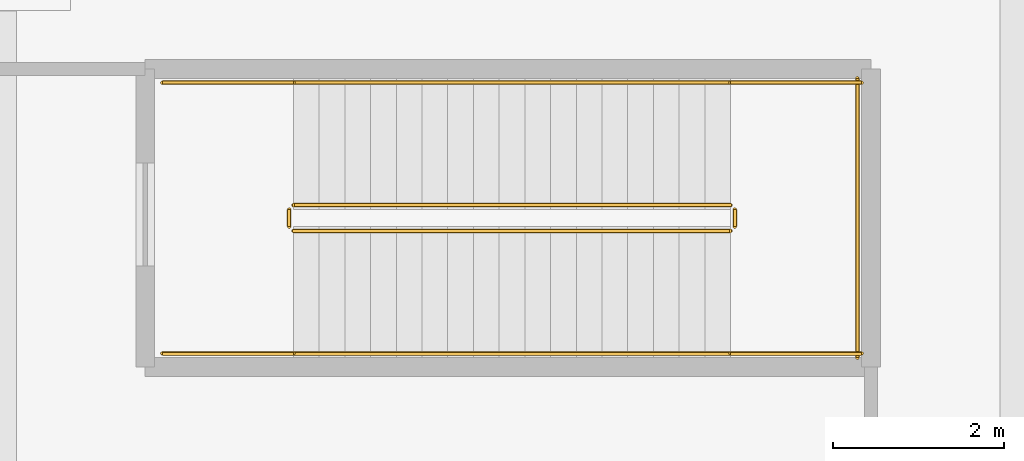
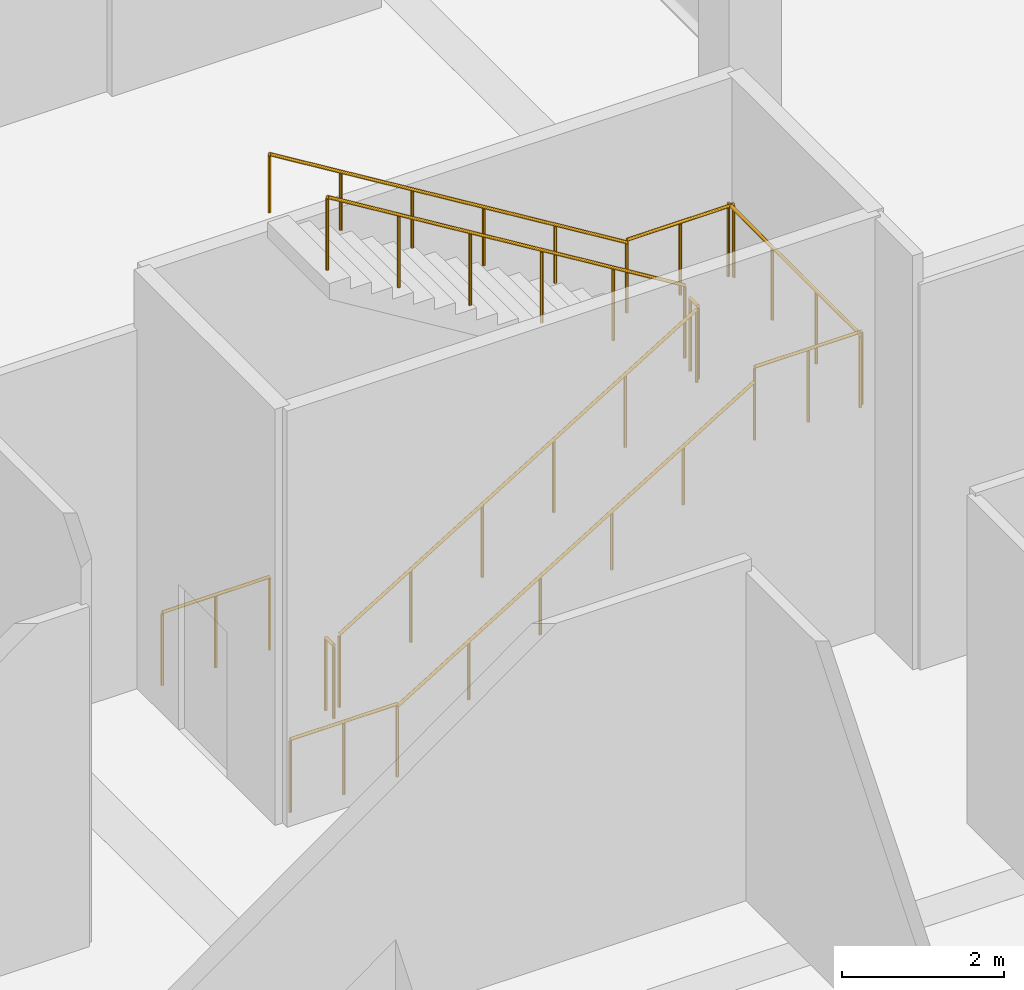
# One storey, part 115 of 117: 11 railings.
"""IFC4 building model written with IfcOpenShell, lengths in metres."""

from ifc_helpers import new_model, si_unit, direction, frame, origin, origin_2d, place, context, subcontext, project, spatial, circle, extrude, material, type_object, element, save


model = new_model("IFC4")

# Units and contexts
model_context = context("Model", 3, precision=1e-05, world=origin(), true_north=direction((0.0, 1.0)))
body_context = subcontext(model_context, "Body", "Model", "MODEL_VIEW")
ifc_project = project(units=[si_unit("LENGTHUNIT", "METRE"), si_unit("AREAUNIT", "SQUARE_METRE"), si_unit("VOLUMEUNIT", "CUBIC_METRE"), si_unit("PLANEANGLEUNIT", "RADIAN"), si_unit("MASSUNIT", "GRAM", prefix="KILO")], contexts=[model_context])

# Site, building, storey
site_placement = place(None, origin())
site = spatial("IfcSite", under=ifc_project, at=site_placement, CompositionType="ELEMENT")
building_placement = place(site_placement, origin())
building = spatial("IfcBuilding", under=site, at=building_placement, Name="Kamomehara Wholesale Market", CompositionType="ELEMENT")
storey_placement = place(building_placement, origin())
storey = spatial("IfcBuildingStorey", under=building, at=storey_placement, Name="L00", CompositionType="ELEMENT", Elevation=0.0)

# Railings
ifc_material_1 = material(Name="Steel SN400B", Category="steel")
railing_type_1 = type_object("IfcRailingType", Name="RAL-HND-900", PredefinedType="HANDRAIL", material=ifc_material_1)
railing_1_placement = place(storey_placement, frame((111.530029296875, 137.800048828125, 0.183349609375)))
element("IfcRailing", 1, at=railing_1_placement, inside=storey, type_object=railing_type_1, Name="L00 ST-13 stair handrail 1", PredefinedType="HANDRAIL", context=body_context, shape_type="SweptSolid", body=[
    extrude(circle(Radius=0.02392578125, at=origin_2d()), frame((0.0, 0.0, 0.8759765625), z_axis=(0.853272746002, 0.0, 0.521464879863), x_axis=(0.0, 1.0, 0.0)), (0.0, 0.0, 1.0), 5.976806640625),
    extrude(circle(Radius=0.02099609375, at=origin_2d()), origin(), (0.0, 0.0, 1.0), 0.851806640625),
    extrude(circle(Radius=0.02099609375, at=origin_2d()), frame((1.02001953125, 0.0, 0.623291015625)), (0.0, 0.0, 1.0), 0.851806640625),
    extrude(circle(Radius=0.02099609375, at=origin_2d()), frame((2.0400390625, 0.0, 1.24658203125)), (0.0, 0.0, 1.0), 0.851806640625),
    extrude(circle(Radius=0.02099609375, at=origin_2d()), frame((3.059814453125, 0.0, 1.8701171875)), (0.0, 0.0, 1.0), 0.851806640625),
    extrude(circle(Radius=0.02099609375, at=origin_2d()), frame((4.079833984375, 0.0, 2.493408203125)), (0.0, 0.0, 1.0), 0.851806640625),
    extrude(circle(Radius=0.02099609375, at=origin_2d()), frame((5.099853515625, 0.0, 3.11669921875)), (0.0, 0.0, 1.0), 0.851806640625),
])
railing_2_placement = place(storey_placement, frame((116.6298828125, 140.9599609375, 3.4833984375)))
element("IfcRailing", 2, at=railing_2_placement, inside=storey, type_object=railing_type_1, Name="L00 ST-13 stair handrail 2", PredefinedType="HANDRAIL", context=body_context, shape_type="SweptSolid", body=[
    extrude(circle(Radius=0.02392578125, at=origin_2d()), frame((0.0, 0.0, 0.8759765625), z_axis=(-0.853272746002, 0.0, 0.521464879863), x_axis=(0.0, -1.0, 0.0)), (0.0, 0.0, 1.0), 5.976806640625),
    extrude(circle(Radius=0.02099609375, at=origin_2d()), origin(), (0.0, 0.0, 1.0), 0.851806640625),
    extrude(circle(Radius=0.02099609375, at=origin_2d()), frame((-1.02001953125, 0.0, 0.623291015625)), (0.0, 0.0, 1.0), 0.851806640625),
    extrude(circle(Radius=0.02099609375, at=origin_2d()), frame((-2.0400390625, 0.0, 1.24658203125)), (0.0, 0.0, 1.0), 0.851806640625),
    extrude(circle(Radius=0.02099609375, at=origin_2d()), frame((-3.059814453125, 0.0, 1.8701171875)), (0.0, 0.0, 1.0), 0.851806640625),
    extrude(circle(Radius=0.02099609375, at=origin_2d()), frame((-4.079833984375, 0.0, 2.493408203125)), (0.0, 0.0, 1.0), 0.851806640625),
    extrude(circle(Radius=0.02099609375, at=origin_2d()), frame((-5.099853515625, 0.0, 3.11669921875)), (0.0, 0.0, 1.0), 0.851806640625),
])
ifc_material_2 = material(Name="Steel SN400B", Category="steel")
railing_type_2 = type_object("IfcRailingType", Name="RAL-INT-1100", PredefinedType="BALUSTRADE", material=ifc_material_2)
railing_3_placement = place(storey_placement, frame((111.530029296875, 139.22998046875, 0.183349609375)))
element("IfcRailing", 3, at=railing_3_placement, inside=storey, type_object=railing_type_2, Name="L00 ST-13 stair guard 1", PredefinedType="BALUSTRADE", context=body_context, shape_type="SweptSolid", body=[
    extrude(circle(Radius=0.02392578125, at=origin_2d()), frame((0.0, 0.0, 1.09619140625), z_axis=(0.853272746002, 0.0, 0.521464879863), x_axis=(0.0, 1.0, 0.0)), (0.0, 0.0, 1.0), 5.976806640625),
    extrude(circle(Radius=0.02099609375, at=origin_2d()), origin(), (0.0, 0.0, 1.0), 1.072021484375),
    extrude(circle(Radius=0.02099609375, at=origin_2d()), frame((1.02001953125, 0.0, 0.623291015625)), (0.0, 0.0, 1.0), 1.072021484375),
    extrude(circle(Radius=0.02099609375, at=origin_2d()), frame((2.0400390625, 0.0, 1.24658203125)), (0.0, 0.0, 1.0), 1.072021484375),
    extrude(circle(Radius=0.02099609375, at=origin_2d()), frame((3.059814453125, 0.0, 1.8701171875)), (0.0, 0.0, 1.0), 1.072021484375),
    extrude(circle(Radius=0.02099609375, at=origin_2d()), frame((4.079833984375, 0.0, 2.493408203125)), (0.0, 0.0, 1.0), 1.072021484375),
    extrude(circle(Radius=0.02099609375, at=origin_2d()), frame((5.099853515625, 0.0, 3.11669921875)), (0.0, 0.0, 1.0), 1.072021484375),
])
railing_4_placement = place(storey_placement, frame((116.679931640625, 139.280029296875, 3.300048828125)))
element("IfcRailing", 4, at=railing_4_placement, inside=storey, type_object=railing_type_2, Name="L00 ST-13 stair guard 2", PredefinedType="BALUSTRADE", context=body_context, shape_type="SweptSolid", body=[
    extrude(circle(Radius=0.02392578125, at=origin_2d()), frame((0.0, 0.0, 1.09619140625), z_axis=(0.0, 1.0, 0.0), x_axis=(-1.0, 0.0, 0.0)), (0.0, 0.0, 1.0), 0.199951171875),
    extrude(circle(Radius=0.02099609375, at=origin_2d()), origin(), (0.0, 0.0, 1.0), 1.072021484375),
    extrude(circle(Radius=0.02099609375, at=origin_2d()), frame((0.0, 0.199951171875, 0.0)), (0.0, 0.0, 1.0), 1.072021484375),
])
for number, where, name in (
    (5, (116.6298828125, 137.800048828125, 3.300048828125), "L00 ST-13 stair guard 3"),
    (6, (116.6298828125, 140.9599609375, 3.300048828125), "L00 ST-13 stair guard 4"),
):
    element("IfcRailing", number, at=place(storey_placement, frame(where)), inside=storey, type_object=railing_type_2, Name=name, PredefinedType="BALUSTRADE", context=body_context, shape_type="SweptSolid", body=[
        extrude(circle(Radius=0.02392578125, at=origin_2d()), frame((0.0, 0.0, 1.09619140625), z_axis=(1.0, 0.0, 0.0), x_axis=(0.0, 1.0, 0.0)), (0.0, 0.0, 1.0), 1.530029296875),
        extrude(circle(Radius=0.02099609375, at=origin_2d()), origin(), (0.0, 0.0, 1.0), 1.072021484375),
        extrude(circle(Radius=0.02099609375, at=origin_2d()), frame((0.76513671875, 0.0, 0.0)), (0.0, 0.0, 1.0), 1.072021484375),
        extrude(circle(Radius=0.02099609375, at=origin_2d()), frame((1.530029296875, 0.0, 0.0)), (0.0, 0.0, 1.0), 1.072021484375),
    ])
railing_5_placement = place(storey_placement, frame((118.110107421875, 137.75, 3.300048828125)))
element("IfcRailing", 7, at=railing_5_placement, inside=storey, type_object=railing_type_2, Name="L00 ST-13 stair guard 5", PredefinedType="BALUSTRADE", context=body_context, shape_type="SweptSolid", body=[
    extrude(circle(Radius=0.02392578125, at=origin_2d()), frame((0.0, 0.0, 1.09619140625), z_axis=(0.0, 1.0, 0.0), x_axis=(-1.0, 0.0, 0.0)), (0.0, 0.0, 1.0), 3.260009765625),
    extrude(circle(Radius=0.02099609375, at=origin_2d()), origin(), (0.0, 0.0, 1.0), 1.072021484375),
    extrude(circle(Radius=0.02099609375, at=origin_2d()), frame((0.0, 1.086669921875, 0.0)), (0.0, 0.0, 1.0), 1.072021484375),
    extrude(circle(Radius=0.02099609375, at=origin_2d()), frame((0.0, 2.17333984375, 0.0)), (0.0, 0.0, 1.0), 1.072021484375),
    extrude(circle(Radius=0.02099609375, at=origin_2d()), frame((0.0, 3.260009765625, 0.0)), (0.0, 0.0, 1.0), 1.072021484375),
])
railing_6_placement = place(storey_placement, frame((116.6298828125, 139.530029296875, 3.4833984375)))
element("IfcRailing", 8, at=railing_6_placement, inside=storey, type_object=railing_type_2, Name="L00 ST-13 stair guard 6", PredefinedType="BALUSTRADE", context=body_context, shape_type="SweptSolid", body=[
    extrude(circle(Radius=0.02392578125, at=origin_2d()), frame((0.0, 0.0, 1.09619140625), z_axis=(-0.853272746002, 0.0, 0.521464879863), x_axis=(0.0, -1.0, 0.0)), (0.0, 0.0, 1.0), 5.976806640625),
    extrude(circle(Radius=0.02099609375, at=origin_2d()), origin(), (0.0, 0.0, 1.0), 1.072021484375),
    extrude(circle(Radius=0.02099609375, at=origin_2d()), frame((-1.02001953125, 0.0, 0.623291015625)), (0.0, 0.0, 1.0), 1.072021484375),
    extrude(circle(Radius=0.02099609375, at=origin_2d()), frame((-2.0400390625, 0.0, 1.24658203125)), (0.0, 0.0, 1.0), 1.072021484375),
    extrude(circle(Radius=0.02099609375, at=origin_2d()), frame((-3.059814453125, 0.0, 1.8701171875)), (0.0, 0.0, 1.0), 1.072021484375),
    extrude(circle(Radius=0.02099609375, at=origin_2d()), frame((-4.079833984375, 0.0, 2.493408203125)), (0.0, 0.0, 1.0), 1.072021484375),
    extrude(circle(Radius=0.02099609375, at=origin_2d()), frame((-5.099853515625, 0.0, 3.11669921875)), (0.0, 0.0, 1.0), 1.072021484375),
])
railing_7_placement = place(storey_placement, frame((111.47998046875, 139.280029296875, 0.0)))
element("IfcRailing", 9, at=railing_7_placement, inside=storey, type_object=railing_type_2, Name="L00 ST-13 stair guard 7", PredefinedType="BALUSTRADE", context=body_context, shape_type="SweptSolid", body=[
    extrude(circle(Radius=0.02392578125, at=origin_2d()), frame((0.0, 0.0, 1.09619140625), z_axis=(0.0, 1.0, 0.0), x_axis=(-1.0, 0.0, 0.0)), (0.0, 0.0, 1.0), 0.199951171875),
    extrude(circle(Radius=0.02099609375, at=origin_2d()), origin(), (0.0, 0.0, 1.0), 1.072021484375),
    extrude(circle(Radius=0.02099609375, at=origin_2d()), frame((0.0, 0.199951171875, 0.0)), (0.0, 0.0, 1.0), 1.072021484375),
])
for number, where, name in (
    (10, (110.0, 137.800048828125, 0.0), "L00 ST-13 stair guard 8"),
    (11, (110.0, 140.9599609375, 0.0), "L00 ST-13 stair guard 9"),
):
    element("IfcRailing", number, at=place(storey_placement, frame(where)), inside=storey, type_object=railing_type_2, Name=name, PredefinedType="BALUSTRADE", context=body_context, shape_type="SweptSolid", body=[
        extrude(circle(Radius=0.02392578125, at=origin_2d()), frame((0.0, 0.0, 1.09619140625), z_axis=(1.0, 0.0, 0.0), x_axis=(0.0, 1.0, 0.0)), (0.0, 0.0, 1.0), 1.530029296875),
        extrude(circle(Radius=0.02099609375, at=origin_2d()), origin(), (0.0, 0.0, 1.0), 1.072021484375),
        extrude(circle(Radius=0.02099609375, at=origin_2d()), frame((0.76513671875, 0.0, 0.0)), (0.0, 0.0, 1.0), 1.072021484375),
        extrude(circle(Radius=0.02099609375, at=origin_2d()), frame((1.530029296875, 0.0, 0.0)), (0.0, 0.0, 1.0), 1.072021484375),
    ])

save(model, "model.ifc")
